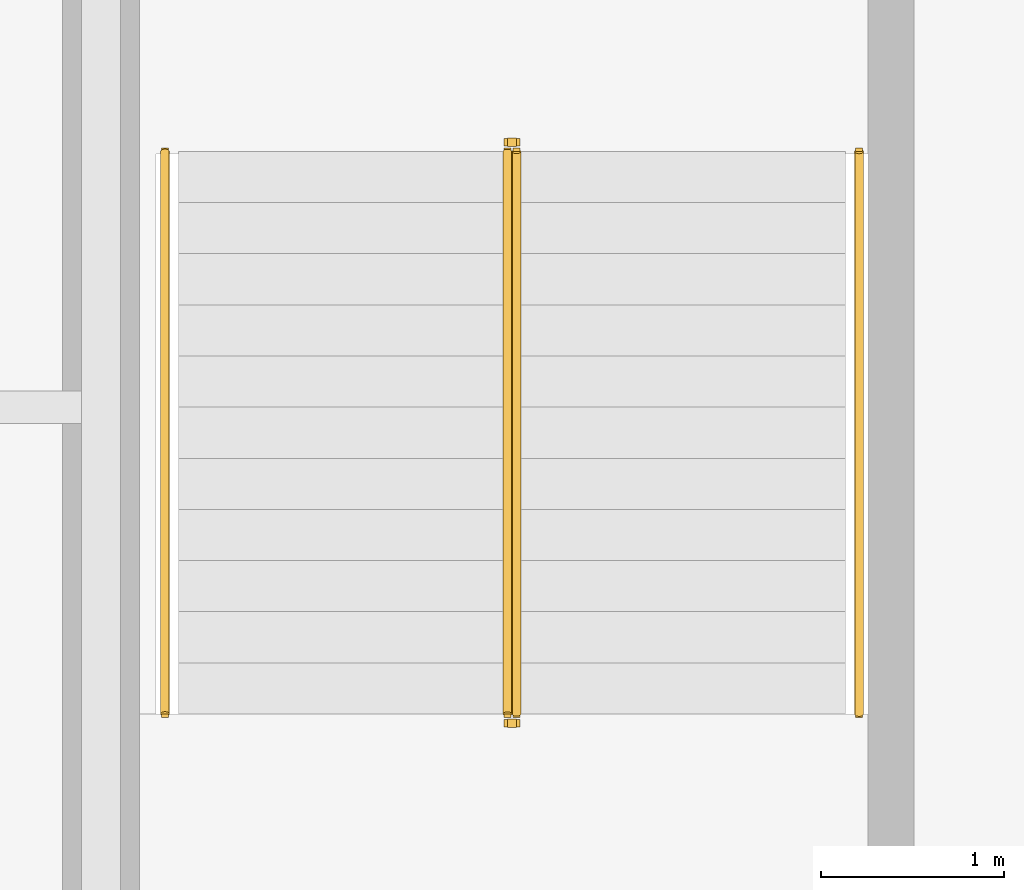
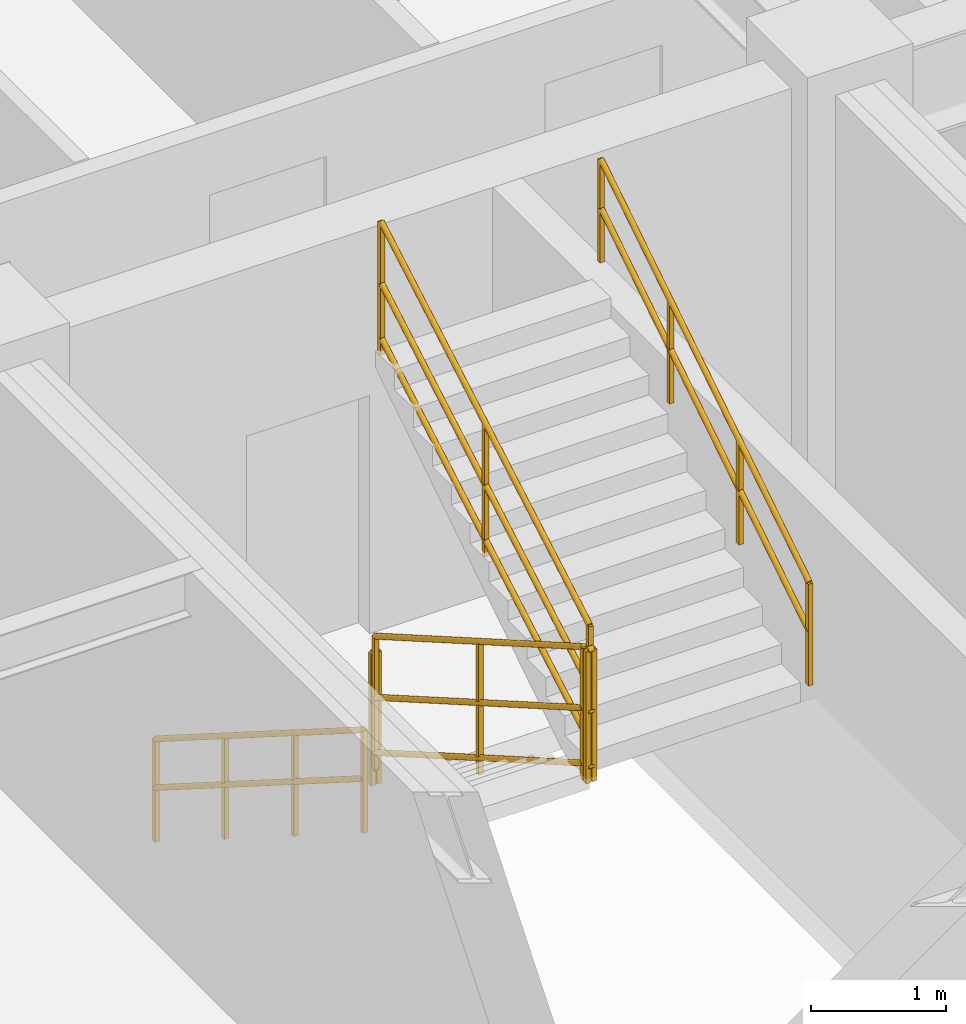
# One storey, part 10 of 10: 6 railings.
"""IFC4 building model written with IfcOpenShell, lengths in metres."""

from ifc_helpers import new_model, entity, si_unit, converted_unit, direction, frame, origin_with_axes, origin_2d_with_axis, place, context, subcontext, project, spatial, rectangle, circle, extrude, material, type_object, element, save


model = new_model("IFC4")

# Units and contexts
model_context = context("Model", 3, precision=1e-05, world=origin_with_axes(), true_north=direction((0.0, 1.0)))
body_context = subcontext(model_context, "Body", "Model", "MODEL_VIEW")
ifc_project = project(units=[si_unit("LENGTHUNIT", "METRE"), si_unit("AREAUNIT", "SQUARE_METRE"), si_unit("VOLUMEUNIT", "CUBIC_METRE"), converted_unit("PLANEANGLEUNIT", "DEGREE", entity("IfcPlaneAngleMeasure", 0.017453292519943295), si_unit("PLANEANGLEUNIT", "RADIAN"), dimensions=[0, 0, 0, 0, 0, 0, 0]), si_unit("MASSUNIT", "GRAM", prefix="KILO"), si_unit("THERMODYNAMICTEMPERATUREUNIT", "KELVIN")], contexts=[model_context])

# Site, building, storey
site_placement = place(None, origin_with_axes())
site = spatial("IfcSite", under=ifc_project, at=site_placement, CompositionType="ELEMENT")
building_placement = place(site_placement, origin_with_axes())
building = spatial("IfcBuilding", under=site, at=building_placement, Name="Varnlund Millrace Tower", CompositionType="ELEMENT")
storey_placement = place(building_placement, frame((0.0, 0.0, 232.5), z_axis=(0.0, 0.0, 1.0), x_axis=(1.0, 0.0, 0.0)))
storey = spatial("IfcBuildingStorey", under=building, at=storey_placement, Name="L57", CompositionType="ELEMENT", Elevation=232.5)

# Railings
ifc_material_1 = material(Name="Painted steel stair well balustrade guard", Category="steel")
railing_type_1 = type_object("IfcRailingType", Name="Type-StairGuard-1150", PredefinedType="GUARDRAIL", material=ifc_material_1)
railing_1_placement = place(storey_placement, frame((0.0, 0.0, -232.5), z_axis=(0.0, 0.0, 1.0), x_axis=(1.0, 0.0, 0.0)))
element("IfcRailing", 1, at=railing_1_placement, inside=storey, type_object=railing_type_1, Name="Type-StairGuard-1150", PredefinedType="GUARDRAIL", context=body_context, shape_type="SweptSolid", body=[
    extrude(circle(Radius=0.024, at=origin_2d_with_axis()), frame((13.625, 35.9, 233.827273), z_axis=(0.0, -0.866696, 0.498836), x_axis=(1.0, 0.0, 0.0)), (0.0, 0.0, 1.0), 3.553725),
    extrude(circle(Radius=0.024, at=origin_2d_with_axis()), frame((13.625, 35.9, 232.777273), z_axis=(0.0, -0.866696, 0.498836), x_axis=(1.0, 0.0, 0.0)), (0.0, 0.0, 1.0), 3.553725),
    extrude(circle(Radius=0.024, at=origin_2d_with_axis()), frame((13.625, 35.9, 233.275273), z_axis=(0.0, -0.866696, 0.498836), x_axis=(1.0, 0.0, 0.0)), (0.0, 0.0, 1.0), 3.553725),
    extrude(rectangle(XDim=0.04, YDim=0.04, at=origin_2d_with_axis()), frame((13.625, 35.9, 232.637273), z_axis=(0.0, 0.0, 1.0), x_axis=(1.0, 0.0, 0.0)), (0.0, 0.0, 1.0), 1.19),
    extrude(rectangle(XDim=0.04, YDim=0.04, at=origin_2d_with_axis()), frame((13.625, 34.36, 233.523637), z_axis=(0.0, 0.0, 1.0), x_axis=(1.0, 0.0, 0.0)), (0.0, 0.0, 1.0), 1.19),
    extrude(rectangle(XDim=0.04, YDim=0.04, at=origin_2d_with_axis()), frame((13.625, 32.82, 234.41), z_axis=(0.0, 0.0, 1.0), x_axis=(1.0, 0.0, 0.0)), (0.0, 0.0, 1.0), 1.19),
])
railing_2_placement = place(storey_placement, frame((0.0, 0.0, -232.5), z_axis=(0.0, 0.0, 1.0), x_axis=(1.0, 0.0, 0.0)))
element("IfcRailing", 2, at=railing_2_placement, inside=storey, type_object=railing_type_1, Name="Type-StairGuard-1150", PredefinedType="GUARDRAIL", context=body_context, shape_type="SweptSolid", body=[
    extrude(circle(Radius=0.024, at=origin_2d_with_axis()), frame((13.675, 32.77, 235.6), z_axis=(-1.0, 0.0, 0.0), x_axis=(0.0, -1.0, 0.0)), (0.0, 0.0, 1.0), 0.05),
    extrude(circle(Radius=0.024, at=origin_2d_with_axis()), frame((13.675, 32.77, 234.55), z_axis=(-1.0, 0.0, 0.0), x_axis=(0.0, -1.0, 0.0)), (0.0, 0.0, 1.0), 0.05),
    extrude(circle(Radius=0.024, at=origin_2d_with_axis()), frame((13.675, 32.77, 235.048), z_axis=(-1.0, 0.0, 0.0), x_axis=(0.0, -1.0, 0.0)), (0.0, 0.0, 1.0), 0.05),
    extrude(rectangle(XDim=0.04, YDim=0.04, at=origin_2d_with_axis()), frame((13.675, 32.77, 234.41), z_axis=(0.0, 0.0, 1.0), x_axis=(1.0, 0.0, 0.0)), (0.0, 0.0, 1.0), 1.19),
    extrude(rectangle(XDim=0.04, YDim=0.04, at=origin_2d_with_axis()), frame((13.625, 32.77, 234.41), z_axis=(0.0, 0.0, 1.0), x_axis=(1.0, 0.0, 0.0)), (0.0, 0.0, 1.0), 1.19),
])
railing_3_placement = place(storey_placement, frame((0.0, 0.0, -232.5), z_axis=(0.0, 0.0, 1.0), x_axis=(1.0, 0.0, 0.0)))
element("IfcRailing", 3, at=railing_3_placement, inside=storey, type_object=railing_type_1, Name="Type-StairGuard-1150", PredefinedType="GUARDRAIL", context=body_context, shape_type="SweptSolid", body=[
    extrude(circle(Radius=0.024, at=origin_2d_with_axis()), frame((13.675, 32.82, 235.777273), z_axis=(0.0, 0.866696, 0.498836), x_axis=(-1.0, 0.0, 0.0)), (0.0, 0.0, 1.0), 3.553725),
    extrude(circle(Radius=0.024, at=origin_2d_with_axis()), frame((13.675, 32.82, 234.727273), z_axis=(0.0, 0.866696, 0.498836), x_axis=(-1.0, 0.0, 0.0)), (0.0, 0.0, 1.0), 3.553725),
    extrude(circle(Radius=0.024, at=origin_2d_with_axis()), frame((13.675, 32.82, 235.225273), z_axis=(0.0, 0.866696, 0.498836), x_axis=(-1.0, 0.0, 0.0)), (0.0, 0.0, 1.0), 3.553725),
    extrude(rectangle(XDim=0.04, YDim=0.04, at=origin_2d_with_axis()), frame((13.675, 32.82, 234.587273), z_axis=(0.0, 0.0, 1.0), x_axis=(1.0, 0.0, 0.0)), (0.0, 0.0, 1.0), 1.19),
    extrude(rectangle(XDim=0.04, YDim=0.04, at=origin_2d_with_axis()), frame((13.675, 34.36, 235.473637), z_axis=(0.0, 0.0, 1.0), x_axis=(1.0, 0.0, 0.0)), (0.0, 0.0, 1.0), 1.19),
    extrude(rectangle(XDim=0.04, YDim=0.04, at=origin_2d_with_axis()), frame((13.675, 35.9, 236.36), z_axis=(0.0, 0.0, 1.0), x_axis=(1.0, 0.0, 0.0)), (0.0, 0.0, 1.0), 1.19),
])
railing_4_placement = place(storey_placement, frame((0.0, 0.0, -232.5), z_axis=(0.0, 0.0, 1.0), x_axis=(1.0, 0.0, 0.0)))
element("IfcRailing", 4, at=railing_4_placement, inside=storey, type_object=railing_type_1, Name="Type-StairGuard-1150", PredefinedType="GUARDRAIL", context=body_context, shape_type="SweptSolid", body=[
    extrude(circle(Radius=0.024, at=origin_2d_with_axis()), frame((13.675, 35.95, 233.65), z_axis=(-1.0, 0.0, 0.0), x_axis=(0.0, -1.0, 0.0)), (0.0, 0.0, 1.0), 0.05),
    extrude(circle(Radius=0.024, at=origin_2d_with_axis()), frame((13.675, 35.95, 232.6), z_axis=(-1.0, 0.0, 0.0), x_axis=(0.0, -1.0, 0.0)), (0.0, 0.0, 1.0), 0.05),
    extrude(circle(Radius=0.024, at=origin_2d_with_axis()), frame((13.675, 35.95, 233.098), z_axis=(-1.0, 0.0, 0.0), x_axis=(0.0, -1.0, 0.0)), (0.0, 0.0, 1.0), 0.05),
    extrude(rectangle(XDim=0.04, YDim=0.04, at=origin_2d_with_axis()), frame((13.675, 35.95, 232.46), z_axis=(0.0, 0.0, 1.0), x_axis=(1.0, 0.0, 0.0)), (0.0, 0.0, 1.0), 1.19),
    extrude(rectangle(XDim=0.04, YDim=0.04, at=origin_2d_with_axis()), frame((13.625, 35.95, 232.46), z_axis=(0.0, 0.0, 1.0), x_axis=(1.0, 0.0, 0.0)), (0.0, 0.0, 1.0), 1.19),
])
ifc_material_2 = material(Name="Brushed architectural bronze stair handrail", Category="aluminium")
railing_type_2 = type_object("IfcRailingType", Name="Type-StairHandrail-900", PredefinedType="HANDRAIL", material=ifc_material_2)
railing_5_placement = place(storey_placement, frame((0.0, 0.0, -232.5), z_axis=(0.0, 0.0, 1.0), x_axis=(1.0, 0.0, 0.0)))
element("IfcRailing", 5, at=railing_5_placement, inside=storey, type_object=railing_type_2, Name="Type-StairHandrail-900", PredefinedType="HANDRAIL", context=body_context, shape_type="SweptSolid", body=[
    extrude(circle(Radius=0.024, at=origin_2d_with_axis()), frame((11.75, 35.9, 233.556995), z_axis=(0.0, -0.844902, 0.534922), x_axis=(1.0, 0.0, 0.0)), (0.0, 0.0, 1.0), 3.645394),
    extrude(circle(Radius=0.024, at=origin_2d_with_axis()), frame((11.75, 35.9, 233.117134), z_axis=(0.0, -0.844902, 0.534922), x_axis=(1.0, 0.0, 0.0)), (0.0, 0.0, 1.0), 3.645394),
    extrude(rectangle(XDim=0.04, YDim=0.04, at=origin_2d_with_axis()), frame((11.75, 35.9, 232.637273), z_axis=(0.0, 0.0, 1.0), x_axis=(1.0, 0.0, 0.0)), (0.0, 0.0, 1.0), 0.919722),
    extrude(rectangle(XDim=0.04, YDim=0.04, at=origin_2d_with_axis()), frame((11.75, 34.873333, 233.287273), z_axis=(0.0, 0.0, 1.0), x_axis=(1.0, 0.0, 0.0)), (0.0, 0.0, 1.0), 0.919722),
    extrude(rectangle(XDim=0.04, YDim=0.04, at=origin_2d_with_axis()), frame((11.75, 33.846667, 233.937273), z_axis=(0.0, 0.0, 1.0), x_axis=(1.0, 0.0, 0.0)), (0.0, 0.0, 1.0), 0.919722),
    extrude(rectangle(XDim=0.04, YDim=0.04, at=origin_2d_with_axis()), frame((11.75, 32.82, 234.587273), z_axis=(0.0, 0.0, 1.0), x_axis=(1.0, 0.0, 0.0)), (0.0, 0.0, 1.0), 0.919722),
])
railing_6_placement = place(storey_placement, frame((0.0, 0.0, -232.5), z_axis=(0.0, 0.0, 1.0), x_axis=(1.0, 0.0, 0.0)))
element("IfcRailing", 6, at=railing_6_placement, inside=storey, type_object=railing_type_2, Name="Type-StairHandrail-900", PredefinedType="HANDRAIL", context=body_context, shape_type="SweptSolid", body=[
    extrude(circle(Radius=0.024, at=origin_2d_with_axis()), frame((15.55, 32.82, 235.506995), z_axis=(0.0, 0.844902, 0.534922), x_axis=(-1.0, 0.0, 0.0)), (0.0, 0.0, 1.0), 3.645394),
    extrude(circle(Radius=0.024, at=origin_2d_with_axis()), frame((15.55, 32.82, 235.067134), z_axis=(0.0, 0.844902, 0.534922), x_axis=(-1.0, 0.0, 0.0)), (0.0, 0.0, 1.0), 3.645394),
    extrude(rectangle(XDim=0.04, YDim=0.04, at=origin_2d_with_axis()), frame((15.55, 32.82, 234.587273), z_axis=(0.0, 0.0, 1.0), x_axis=(1.0, 0.0, 0.0)), (0.0, 0.0, 1.0), 0.919722),
    extrude(rectangle(XDim=0.04, YDim=0.04, at=origin_2d_with_axis()), frame((15.55, 33.846667, 235.237273), z_axis=(0.0, 0.0, 1.0), x_axis=(1.0, 0.0, 0.0)), (0.0, 0.0, 1.0), 0.919722),
    extrude(rectangle(XDim=0.04, YDim=0.04, at=origin_2d_with_axis()), frame((15.55, 34.873333, 235.887273), z_axis=(0.0, 0.0, 1.0), x_axis=(1.0, 0.0, 0.0)), (0.0, 0.0, 1.0), 0.919722),
    extrude(rectangle(XDim=0.04, YDim=0.04, at=origin_2d_with_axis()), frame((15.55, 35.9, 236.537273), z_axis=(0.0, 0.0, 1.0), x_axis=(1.0, 0.0, 0.0)), (0.0, 0.0, 1.0), 0.919722),
])

save(model, "model.ifc")
